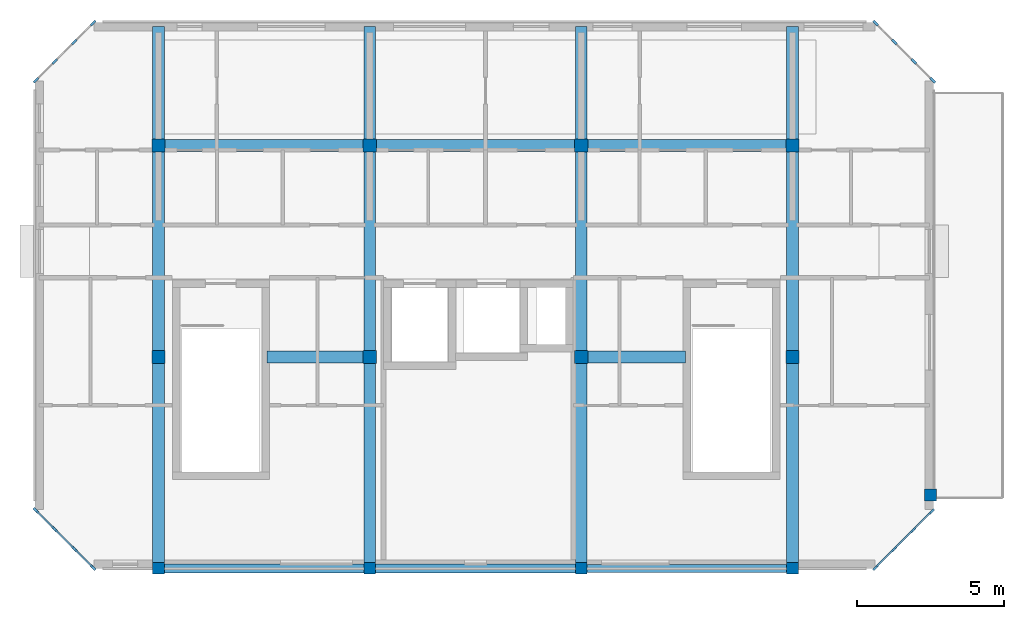
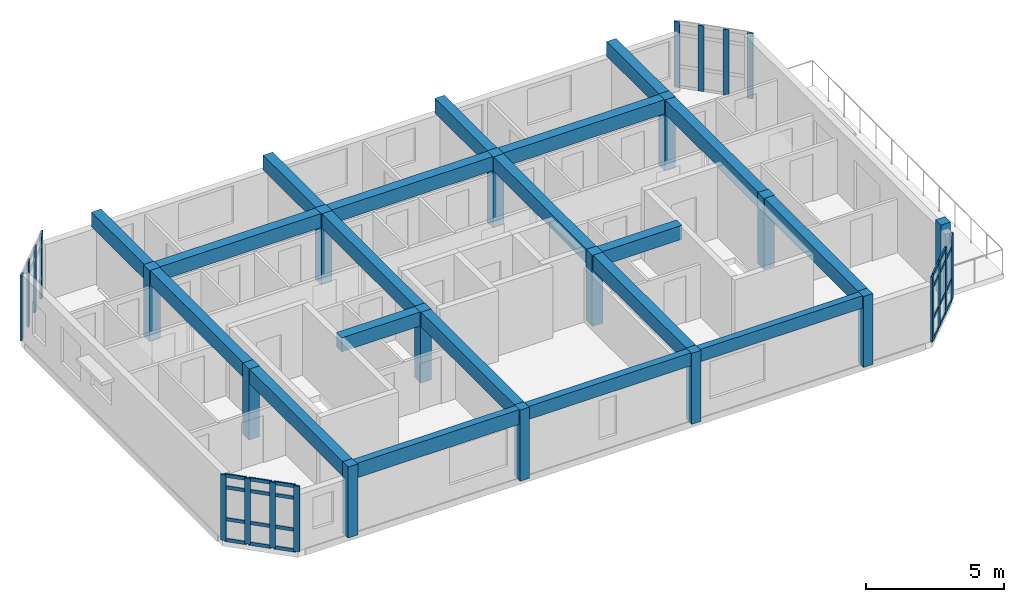
# One storey, part 1 of 6: 39 members, 16 beams, 13 columns, 4 elements without a shape of their own.
"""IFC4 building model written with IfcOpenShell, lengths in metres."""

from ifc_helpers import new_model, si_unit, direction, frame, origin, origin_2d, place, context, subcontext, project, spatial, rectangle, extrude, material, layer, layer_set, material_profile, profile_set, type_object, element, aggregate, save


model = new_model("IFC4")

# Units and contexts
model_context = context("Model", 3, precision=1e-05, world=origin(), true_north=direction((0.0, 1.0)))
body_context = subcontext(model_context, "Body", "Model", "MODEL_VIEW")
ifc_project = project(units=[si_unit("LENGTHUNIT", "METRE"), si_unit("AREAUNIT", "SQUARE_METRE"), si_unit("VOLUMEUNIT", "CUBIC_METRE"), si_unit("PLANEANGLEUNIT", "RADIAN"), si_unit("MASSUNIT", "GRAM", prefix="KILO")], contexts=[model_context])

# Site, building, storey
site_placement = place(None, origin())
site = spatial("IfcSite", under=ifc_project, at=site_placement, CompositionType="ELEMENT")
building_placement = place(site_placement, origin())
building = spatial("IfcBuilding", under=site, at=building_placement, Name="Ochrevale Crest", CompositionType="ELEMENT")
storey_placement = place(building_placement, frame((0.0, 0.0, 49.64990234375)))
storey = spatial("IfcBuildingStorey", under=building, at=storey_placement, Name="L15", CompositionType="ELEMENT", Elevation=49.64990234375)

# Columns
ifc_material_1 = material(Name="Precast concrete C40/50", Category="concrete")
ifc_material_profile_1 = material_profile(ifc_material_1, rectangle(XDim=0.39990234375, YDim=0.39990234375, at=origin_2d()), Name="RC 400x400")
ifc_profile_set_1 = profile_set([ifc_material_profile_1], Name="Precast concrete C40/50")
column_type_1 = type_object("IfcColumnType", Name="COL-RC400x400", PredefinedType="COLUMN", material=ifc_profile_set_1)
for number, where, z_axis, x_axis, name in (
    (1, (136.800048828125, 72.0, 0.0), (0.0, 0.0, 1.0), (1.0, 0.0, 0.0), "Block D L15 column (136.8,72.0)"),
    (2, (144.0, 72.0, 0.0), (0.0, 0.0, 1.0), (1.0, 0.0, 0.0), "Block D L15 column (144.0,72.0)"),
    (3, (151.199951171875, 72.0, 0.0), (0.0, 0.0, 1.0), (1.0, 0.0, 0.0), "Block D L15 column (151.2,72.0)"),
    (4, (158.39990234375, 72.0, 0.0), (0.0, 0.0, 1.0), (1.0, 0.0, 0.0), "Block D L15 column (158.4,72.0)"),
    (5, (163.10009765625, 74.5, 0.0), (0.0, 0.0, 1.0), (1.0, 0.0, 0.0), "Block D L15 column (163.1,74.5)"),
):
    element("IfcColumn", number, at=place(storey_placement, frame(where, z_axis=z_axis, x_axis=x_axis)), inside=storey, type_object=column_type_1, Name=name, PredefinedType="COLUMN", context=body_context, shape_type="SweptSolid", body=[
        extrude(rectangle(XDim=0.39990234375, YDim=0.39990234375, at=origin_2d()), origin(), (0.0, 0.0, 1.0), 3.150146484375),
    ])
ifc_material_profile_2 = material_profile(ifc_material_1, rectangle(XDim=0.449951171875, YDim=0.449951171875, at=origin_2d()), Name="RC 450x450")
ifc_profile_set_2 = profile_set([ifc_material_profile_2], Name="Precast concrete C40/50")
column_type_2 = type_object("IfcColumnType", Name="COL-RC450x450", PredefinedType="COLUMN", material=ifc_profile_set_2)
for number, where, z_axis, x_axis, name in (
    (6, (136.800048828125, 79.199951171875, 0.0), (0.0, 0.0, 1.0), (1.0, 0.0, 0.0), "Block D L15 column (136.8,79.2)"),
    (7, (136.800048828125, 86.39990234375, 0.0), (0.0, 0.0, 1.0), (1.0, 0.0, 0.0), "Block D L15 column (136.8,86.4)"),
    (8, (144.0, 79.199951171875, 0.0), (0.0, 0.0, 1.0), (1.0, 0.0, 0.0), "Block D L15 column (144.0,79.2)"),
    (9, (144.0, 86.39990234375, 0.0), (0.0, 0.0, 1.0), (1.0, 0.0, 0.0), "Block D L15 column (144.0,86.4)"),
    (10, (151.199951171875, 79.199951171875, 0.0), (0.0, 0.0, 1.0), (1.0, 0.0, 0.0), "Block D L15 column (151.2,79.2)"),
    (11, (151.199951171875, 86.39990234375, 0.0), (0.0, 0.0, 1.0), (1.0, 0.0, 0.0), "Block D L15 column (151.2,86.4)"),
    (12, (158.39990234375, 79.199951171875, 0.0), (0.0, 0.0, 1.0), (1.0, 0.0, 0.0), "Block D L15 column (158.4,79.2)"),
    (13, (158.39990234375, 86.39990234375, 0.0), (0.0, 0.0, 1.0), (1.0, 0.0, 0.0), "Block D L15 column (158.4,86.4)"),
):
    element("IfcColumn", number, at=place(storey_placement, frame(where, z_axis=z_axis, x_axis=x_axis)), inside=storey, type_object=column_type_2, Name=name, PredefinedType="COLUMN", context=body_context, shape_type="SweptSolid", body=[
        extrude(rectangle(XDim=0.449951171875, YDim=0.449951171875, at=origin_2d()), origin(), (0.0, 0.0, 1.0), 3.150146484375),
    ])

# Beams
ifc_material_2 = material(Name="Precast concrete C50/60", Category="concrete")
ifc_material_profile_3 = material_profile(ifc_material_2, rectangle(XDim=0.39990234375, YDim=0.6201171875, at=origin_2d()), Name="PC 400x620")
ifc_profile_set_3 = profile_set([ifc_material_profile_3], Name="Precast concrete C50/60")
beam_type_1 = type_object("IfcBeamType", Name="BM-PC400x620", PredefinedType="BEAM", material=ifc_profile_set_3)
beam_1_placement = place(storey_placement, frame((140.489990234375, 79.199951171875, 2.840087890625), z_axis=(1.0, 0.0, 0.0), x_axis=(0.0, 1.0, 0.0)))
element("IfcBeam", 14, at=beam_1_placement, inside=storey, type_object=beam_type_1, Name="Block D L15 E-W beam Y=79.2", PredefinedType="BEAM", context=body_context, shape_type="SweptSolid", body=[
    extrude(rectangle(XDim=0.39990234375, YDim=0.6201171875, at=origin_2d()), origin(), (0.0, 0.0, 1.0), 3.31005859375),
])
beam_2_placement = place(storey_placement, frame((151.39990234375, 79.199951171875, 2.840087890625), z_axis=(1.0, 0.0, 0.0), x_axis=(0.0, 1.0, 0.0)))
element("IfcBeam", 15, at=beam_2_placement, inside=storey, type_object=beam_type_1, Name="Block D L15 E-W beam Y=79.2", PredefinedType="BEAM", context=body_context, shape_type="SweptSolid", body=[
    extrude(rectangle(XDim=0.39990234375, YDim=0.6201171875, at=origin_2d()), origin(), (0.0, 0.0, 1.0), 3.360107421875),
])
for number, where, z_axis, x_axis, name in (
    (16, (137.0, 86.39990234375, 2.840087890625), (1.0, 0.0, 0.0), (0.0, 1.0, 0.0), "Block D L15 E-W beam Y=86.4"),
    (17, (144.199951171875, 86.39990234375, 2.840087890625), (1.0, 0.0, 0.0), (0.0, 1.0, 0.0), "Block D L15 E-W beam Y=86.4"),
    (18, (151.39990234375, 86.39990234375, 2.840087890625), (1.0, 0.0, 0.0), (0.0, 1.0, 0.0), "Block D L15 E-W beam Y=86.4"),
):
    element("IfcBeam", number, at=place(storey_placement, frame(where, z_axis=z_axis, x_axis=x_axis)), inside=storey, type_object=beam_type_1, Name=name, PredefinedType="BEAM", context=body_context, shape_type="SweptSolid", body=[
        extrude(rectangle(XDim=0.39990234375, YDim=0.6201171875, at=origin_2d()), origin(), (0.0, 0.0, 1.0), 6.800048828125),
    ])
ifc_material_profile_4 = material_profile(ifc_material_2, rectangle(XDim=0.39990234375, YDim=0.64990234375, at=origin_2d()), Name="PC 400x650")
ifc_profile_set_4 = profile_set([ifc_material_profile_4], Name="Precast concrete C50/60")
beam_type_2 = type_object("IfcBeamType", Name="BM-PC400x650", PredefinedType="BEAM", material=ifc_profile_set_4)
beam_3_placement = place(storey_placement, frame((136.800048828125, 72.179931640625, 2.8251953125), z_axis=(0.0, 1.0, 0.0), x_axis=(-1.0, 0.0, 0.0)))
element("IfcBeam", 19, at=beam_3_placement, inside=storey, type_object=beam_type_2, Name="Block D L15 N-S beam X=136.8", PredefinedType="BEAM", context=body_context, shape_type="SweptSolid", body=[
    extrude(rectangle(XDim=0.39990234375, YDim=0.64990234375, at=origin_2d()), origin(), (0.0, 0.0, 1.0), 6.815185546875),
])
beam_4_placement = place(storey_placement, frame((136.800048828125, 79.219970703125, 2.8251953125), z_axis=(0.0, 1.0, 0.0), x_axis=(-1.0, 0.0, 0.0)))
element("IfcBeam", 20, at=beam_4_placement, inside=storey, type_object=beam_type_2, Name="Block D L15 N-S beam X=136.8", PredefinedType="BEAM", context=body_context, shape_type="SweptSolid", body=[
    extrude(rectangle(XDim=0.39990234375, YDim=0.64990234375, at=origin_2d()), origin(), (0.0, 0.0, 1.0), 11.22998046875),
])
beam_5_placement = place(storey_placement, frame((144.0, 72.179931640625, 2.8251953125), z_axis=(0.0, 1.0, 0.0), x_axis=(-1.0, 0.0, 0.0)))
element("IfcBeam", 21, at=beam_5_placement, inside=storey, type_object=beam_type_2, Name="Block D L15 N-S beam X=144.0", PredefinedType="BEAM", context=body_context, shape_type="SweptSolid", body=[
    extrude(rectangle(XDim=0.39990234375, YDim=0.64990234375, at=origin_2d()), origin(), (0.0, 0.0, 1.0), 6.815185546875),
])
beam_6_placement = place(storey_placement, frame((144.0, 79.219970703125, 2.8251953125), z_axis=(0.0, 1.0, 0.0), x_axis=(-1.0, 0.0, 0.0)))
element("IfcBeam", 22, at=beam_6_placement, inside=storey, type_object=beam_type_2, Name="Block D L15 N-S beam X=144.0", PredefinedType="BEAM", context=body_context, shape_type="SweptSolid", body=[
    extrude(rectangle(XDim=0.39990234375, YDim=0.64990234375, at=origin_2d()), origin(), (0.0, 0.0, 1.0), 11.22998046875),
])
beam_7_placement = place(storey_placement, frame((151.199951171875, 72.179931640625, 2.8251953125), z_axis=(0.0, 1.0, 0.0), x_axis=(-1.0, 0.0, 0.0)))
element("IfcBeam", 23, at=beam_7_placement, inside=storey, type_object=beam_type_2, Name="Block D L15 N-S beam X=151.2", PredefinedType="BEAM", context=body_context, shape_type="SweptSolid", body=[
    extrude(rectangle(XDim=0.39990234375, YDim=0.64990234375, at=origin_2d()), origin(), (0.0, 0.0, 1.0), 6.815185546875),
])
beam_8_placement = place(storey_placement, frame((151.199951171875, 79.219970703125, 2.8251953125), z_axis=(0.0, 1.0, 0.0), x_axis=(-1.0, 0.0, 0.0)))
element("IfcBeam", 24, at=beam_8_placement, inside=storey, type_object=beam_type_2, Name="Block D L15 N-S beam X=151.2", PredefinedType="BEAM", context=body_context, shape_type="SweptSolid", body=[
    extrude(rectangle(XDim=0.39990234375, YDim=0.64990234375, at=origin_2d()), origin(), (0.0, 0.0, 1.0), 11.22998046875),
])
beam_9_placement = place(storey_placement, frame((158.39990234375, 72.179931640625, 2.8251953125), z_axis=(0.0, 1.0, 0.0), x_axis=(-1.0, 0.0, 0.0)))
element("IfcBeam", 25, at=beam_9_placement, inside=storey, type_object=beam_type_2, Name="Block D L15 N-S beam X=158.4", PredefinedType="BEAM", context=body_context, shape_type="SweptSolid", body=[
    extrude(rectangle(XDim=0.39990234375, YDim=0.64990234375, at=origin_2d()), origin(), (0.0, 0.0, 1.0), 6.815185546875),
])
beam_10_placement = place(storey_placement, frame((158.39990234375, 79.219970703125, 2.8251953125), z_axis=(0.0, 1.0, 0.0), x_axis=(-1.0, 0.0, 0.0)))
element("IfcBeam", 26, at=beam_10_placement, inside=storey, type_object=beam_type_2, Name="Block D L15 N-S beam X=158.4", PredefinedType="BEAM", context=body_context, shape_type="SweptSolid", body=[
    extrude(rectangle(XDim=0.39990234375, YDim=0.64990234375, at=origin_2d()), origin(), (0.0, 0.0, 1.0), 11.22998046875),
])
ifc_material_profile_5 = material_profile(ifc_material_1, rectangle(XDim=0.280029296875, YDim=0.550048828125, at=origin_2d()), Name="PC 280x550")
ifc_profile_set_5 = profile_set([ifc_material_profile_5], Name="Precast concrete C40/50")
beam_type_3 = type_object("IfcBeamType", Name="BM-SP280x550", PredefinedType="SPANDREL", material=ifc_profile_set_5)
beam_11_placement = place(storey_placement, frame((151.375, 72.0, 2.875), z_axis=(1.0, 0.0, 0.0), x_axis=(0.0, 1.0, 0.0)))
element("IfcBeam", 27, at=beam_11_placement, inside=storey, type_object=beam_type_3, Name="Block D L15 E-W beam Y=72.0", PredefinedType="SPANDREL", context=body_context, shape_type="SweptSolid", body=[
    extrude(rectangle(XDim=0.280029296875, YDim=0.550048828125, at=origin_2d()), origin(), (0.0, 0.0, 1.0), 6.85009765625),
])
ifc_material_profile_6 = material_profile(ifc_material_1, rectangle(XDim=0.300048828125, YDim=0.580078125, at=origin_2d()), Name="PC 300x580")
ifc_profile_set_6 = profile_set([ifc_material_profile_6], Name="Precast concrete C40/50")
beam_type_4 = type_object("IfcBeamType", Name="BM-SP300x580", PredefinedType="SPANDREL", material=ifc_profile_set_6)
beam_12_placement = place(storey_placement, frame((144.175048828125, 72.0, 2.860107421875), z_axis=(1.0, 0.0, 0.0), x_axis=(0.0, 1.0, 0.0)))
element("IfcBeam", 28, at=beam_12_placement, inside=storey, type_object=beam_type_4, Name="Block D L15 E-W beam Y=72.0", PredefinedType="SPANDREL", context=body_context, shape_type="SweptSolid", body=[
    extrude(rectangle(XDim=0.300048828125, YDim=0.580078125, at=origin_2d()), origin(), (0.0, 0.0, 1.0), 6.849853515625),
])
ifc_material_profile_7 = material_profile(ifc_material_1, rectangle(XDim=0.300048828125, YDim=0.64990234375, at=origin_2d()), Name="PC 300x650")
ifc_profile_set_7 = profile_set([ifc_material_profile_7], Name="Precast concrete C40/50")
beam_type_5 = type_object("IfcBeamType", Name="BM-SP300x650", PredefinedType="SPANDREL", material=ifc_profile_set_7)
beam_13_placement = place(storey_placement, frame((136.97509765625, 72.0, 2.8251953125), z_axis=(1.0, 0.0, 0.0), x_axis=(0.0, 1.0, 0.0)))
element("IfcBeam", 29, at=beam_13_placement, inside=storey, type_object=beam_type_5, Name="Block D L15 E-W beam Y=72.0", PredefinedType="SPANDREL", context=body_context, shape_type="SweptSolid", body=[
    extrude(rectangle(XDim=0.300048828125, YDim=0.64990234375, at=origin_2d()), origin(), (0.0, 0.0, 1.0), 6.849853515625),
])

# Curtain wall, members
ifc_material_3 = material(Name="Anodised aluminium 6063-T5", Category="aluminium")
ifc_layer_1 = layer(ifc_material_3, 0.14990234375)
ifc_layer_set_1 = layer_set([ifc_layer_1], Name="Anodised aluminium 6063-T5")
curtain_wall_type_1 = type_object("IfcCurtainWallType", Name="CW-WG-320x285", PredefinedType="NOTDEFINED", material=ifc_layer_set_1)
curtain_wall_1_placement = place(storey_placement, origin())
curtain_wall_1 = element("IfcCurtainWall", 30, at=curtain_wall_1_placement, inside=storey, type_object=curtain_wall_type_1, Name="Block D L15 chamfered corner wintergarden curtain wall 2", PredefinedType="NOTDEFINED")
ifc_material_profile_8 = material_profile(ifc_material_3, rectangle(XDim=0.074951171875, YDim=0.219970703125, at=origin_2d()), Name="ALU 75x220")
ifc_profile_set_8 = profile_set([ifc_material_profile_8], Name="Anodised aluminium 6063-T5")
member_type_1 = type_object("IfcMemberType", Name="CW-MUL-75x220", PredefinedType="MULLION", material=ifc_profile_set_8)
member_1_placement = place(storey_placement, frame((161.2265625, 72.026611328125, 0.0), z_axis=(0.0, 0.0, 1.0), x_axis=(-0.707106781187, 0.707106781187, 0.0)))
member_1 = element("IfcMember", 31, at=member_1_placement, type_object=member_type_1, Name="CW17 mullion 1", PredefinedType="MULLION", context=body_context, shape_type="SweptSolid", body=[
    extrude(rectangle(XDim=0.074951171875, YDim=0.219970703125, at=origin_2d()), origin(), (0.0, 0.0, 1.0), 2.91015625),
])
member_2_placement = place(storey_placement, frame((161.853271484375, 72.6533203125, 0.0), z_axis=(0.0, 0.0, 1.0), x_axis=(-0.707106781187, 0.707106781187, 0.0)))
member_2 = element("IfcMember", 32, at=member_2_placement, type_object=member_type_1, Name="CW17 mullion 2", PredefinedType="MULLION", context=body_context, shape_type="SweptSolid", body=[
    extrude(rectangle(XDim=0.074951171875, YDim=0.219970703125, at=origin_2d()), origin(), (0.0, 0.0, 1.0), 2.91015625),
])
member_3_placement = place(storey_placement, frame((162.506591796875, 73.306640625, 0.0), z_axis=(0.0, 0.0, 1.0), x_axis=(-0.707106781187, 0.707106781187, 0.0)))
member_3 = element("IfcMember", 33, at=member_3_placement, type_object=member_type_1, Name="CW17 mullion 3", PredefinedType="MULLION", context=body_context, shape_type="SweptSolid", body=[
    extrude(rectangle(XDim=0.074951171875, YDim=0.219970703125, at=origin_2d()), origin(), (0.0, 0.0, 1.0), 2.91015625),
])
member_4_placement = place(storey_placement, frame((163.133544921875, 73.93359375, 0.0), z_axis=(0.0, 0.0, 1.0), x_axis=(-0.707106781187, 0.707106781187, 0.0)))
member_4 = element("IfcMember", 34, at=member_4_placement, type_object=member_type_1, Name="CW17 mullion 4", PredefinedType="MULLION", context=body_context, shape_type="SweptSolid", body=[
    extrude(rectangle(XDim=0.074951171875, YDim=0.219970703125, at=origin_2d()), origin(), (0.0, 0.0, 1.0), 2.91015625),
])

ifc_layer_2 = layer(ifc_material_3, 0.14990234375)
ifc_layer_set_2 = layer_set([ifc_layer_2], Name="Anodised aluminium 6063-T5")
curtain_wall_type_2 = type_object("IfcCurtainWallType", Name="CW-WG-420x285", PredefinedType="NOTDEFINED", material=ifc_layer_set_2)
curtain_wall_2_placement = place(storey_placement, origin())
curtain_wall_2 = element("IfcCurtainWall", 35, at=curtain_wall_2_placement, inside=storey, type_object=curtain_wall_type_2, Name="Block D L15 chamfered corner wintergarden curtain wall 4", PredefinedType="NOTDEFINED")
member_5_placement = place(storey_placement, frame((163.173583984375, 88.62646484375, 0.0), z_axis=(0.0, 0.0, 1.0), x_axis=(-0.707106781187, -0.707106781187, 0.0)))
member_5 = element("IfcMember", 36, at=member_5_placement, type_object=member_type_1, Name="CW22 mullion 1", PredefinedType="MULLION", context=body_context, shape_type="SweptSolid", body=[
    extrude(rectangle(XDim=0.074951171875, YDim=0.219970703125, at=origin_2d()), origin(), (0.0, 0.0, 1.0), 2.91015625),
])
member_6_placement = place(storey_placement, frame((162.533447265625, 89.2666015625, 0.0), z_axis=(0.0, 0.0, 1.0), x_axis=(-0.707106781187, -0.707106781187, 0.0)))
member_6 = element("IfcMember", 37, at=member_6_placement, type_object=member_type_1, Name="CW22 mullion 2", PredefinedType="MULLION", context=body_context, shape_type="SweptSolid", body=[
    extrude(rectangle(XDim=0.074951171875, YDim=0.219970703125, at=origin_2d()), origin(), (0.0, 0.0, 1.0), 2.91015625),
])
member_7_placement = place(storey_placement, frame((161.86669921875, 89.933349609375, 0.0), z_axis=(0.0, 0.0, 1.0), x_axis=(-0.707106781187, -0.707106781187, 0.0)))
member_7 = element("IfcMember", 38, at=member_7_placement, type_object=member_type_1, Name="CW22 mullion 3", PredefinedType="MULLION", context=body_context, shape_type="SweptSolid", body=[
    extrude(rectangle(XDim=0.074951171875, YDim=0.219970703125, at=origin_2d()), origin(), (0.0, 0.0, 1.0), 2.91015625),
])
member_8_placement = place(storey_placement, frame((161.2265625, 90.573486328125, 0.0), z_axis=(0.0, 0.0, 1.0), x_axis=(-0.707106781187, -0.707106781187, 0.0)))
member_8 = element("IfcMember", 39, at=member_8_placement, type_object=member_type_1, Name="CW22 mullion 4", PredefinedType="MULLION", context=body_context, shape_type="SweptSolid", body=[
    extrude(rectangle(XDim=0.074951171875, YDim=0.219970703125, at=origin_2d()), origin(), (0.0, 0.0, 1.0), 2.91015625),
])
aggregate(curtain_wall_2, [member_5, member_6, member_7, member_8])

ifc_layer_3 = layer(ifc_material_3, 0.14990234375)
ifc_layer_set_3 = layer_set([ifc_layer_3], Name="Anodised aluminium 6063-T5")
curtain_wall_type_3 = type_object("IfcCurtainWallType", Name="CW-WG-280x285", PredefinedType="NOTDEFINED", material=ifc_layer_set_3)
curtain_wall_3_placement = place(storey_placement, origin())
curtain_wall_3 = element("IfcCurtainWall", 40, at=curtain_wall_3_placement, inside=storey, type_object=curtain_wall_type_3, Name="Block D L15 chamfered corner wintergarden curtain wall 6", PredefinedType="NOTDEFINED")
member_9_placement = place(storey_placement, frame((134.573486328125, 90.573486328125, 0.0), z_axis=(0.0, 0.0, 1.0), x_axis=(0.707106781187, -0.707106781187, 0.0)))
member_9 = element("IfcMember", 41, at=member_9_placement, type_object=member_type_1, Name="CW16 mullion 1", PredefinedType="MULLION", context=body_context, shape_type="SweptSolid", body=[
    extrude(rectangle(XDim=0.074951171875, YDim=0.219970703125, at=origin_2d()), origin(), (0.0, 0.0, 1.0), 2.91015625),
])
member_10_placement = place(storey_placement, frame((133.933349609375, 89.933349609375, 0.0), z_axis=(0.0, 0.0, 1.0), x_axis=(0.707106781187, -0.707106781187, 0.0)))
member_10 = element("IfcMember", 42, at=member_10_placement, type_object=member_type_1, Name="CW16 mullion 2", PredefinedType="MULLION", context=body_context, shape_type="SweptSolid", body=[
    extrude(rectangle(XDim=0.074951171875, YDim=0.219970703125, at=origin_2d()), origin(), (0.0, 0.0, 1.0), 2.91015625),
])
member_11_placement = place(storey_placement, frame((133.2666015625, 89.2666015625, 0.0), z_axis=(0.0, 0.0, 1.0), x_axis=(0.707106781187, -0.707106781187, 0.0)))
member_11 = element("IfcMember", 43, at=member_11_placement, type_object=member_type_1, Name="CW16 mullion 3", PredefinedType="MULLION", context=body_context, shape_type="SweptSolid", body=[
    extrude(rectangle(XDim=0.074951171875, YDim=0.219970703125, at=origin_2d()), origin(), (0.0, 0.0, 1.0), 2.91015625),
])
member_12_placement = place(storey_placement, frame((132.62646484375, 88.62646484375, 0.0), z_axis=(0.0, 0.0, 1.0), x_axis=(0.707106781187, -0.707106781187, 0.0)))
member_12 = element("IfcMember", 44, at=member_12_placement, type_object=member_type_1, Name="CW16 mullion 4", PredefinedType="MULLION", context=body_context, shape_type="SweptSolid", body=[
    extrude(rectangle(XDim=0.074951171875, YDim=0.219970703125, at=origin_2d()), origin(), (0.0, 0.0, 1.0), 2.91015625),
])
aggregate(curtain_wall_3, [member_9, member_10, member_11, member_12])

ifc_layer_4 = layer(ifc_material_3, 0.14990234375)
ifc_layer_set_4 = layer_set([ifc_layer_4], Name="Anodised aluminium 6063-T5")
curtain_wall_type_4 = type_object("IfcCurtainWallType", Name="CW-WG-360x285", PredefinedType="NOTDEFINED", material=ifc_layer_set_4)
curtain_wall_4_placement = place(storey_placement, origin())
curtain_wall_4 = element("IfcCurtainWall", 45, at=curtain_wall_4_placement, inside=storey, type_object=curtain_wall_type_4, Name="Block D L15 chamfered corner wintergarden curtain wall 8", PredefinedType="NOTDEFINED")
member_13_placement = place(storey_placement, frame((132.62646484375, 73.973388671875, 0.0), z_axis=(0.0, 0.0, 1.0), x_axis=(0.707106781187, 0.707106781187, 0.0)))
member_13 = element("IfcMember", 46, at=member_13_placement, type_object=member_type_1, Name="CW18 mullion 1", PredefinedType="MULLION", context=body_context, shape_type="SweptSolid", body=[
    extrude(rectangle(XDim=0.074951171875, YDim=0.219970703125, at=origin_2d()), origin(), (0.0, 0.0, 1.0), 2.91015625),
])
member_14_placement = place(storey_placement, frame((133.2666015625, 73.333251953125, 0.0), z_axis=(0.0, 0.0, 1.0), x_axis=(0.707106781187, 0.707106781187, 0.0)))
member_14 = element("IfcMember", 47, at=member_14_placement, type_object=member_type_1, Name="CW18 mullion 2", PredefinedType="MULLION", context=body_context, shape_type="SweptSolid", body=[
    extrude(rectangle(XDim=0.074951171875, YDim=0.219970703125, at=origin_2d()), origin(), (0.0, 0.0, 1.0), 2.91015625),
])
member_15_placement = place(storey_placement, frame((133.933349609375, 72.666748046875, 0.0), z_axis=(0.0, 0.0, 1.0), x_axis=(0.707106781187, 0.707106781187, 0.0)))
member_15 = element("IfcMember", 48, at=member_15_placement, type_object=member_type_1, Name="CW18 mullion 3", PredefinedType="MULLION", context=body_context, shape_type="SweptSolid", body=[
    extrude(rectangle(XDim=0.074951171875, YDim=0.219970703125, at=origin_2d()), origin(), (0.0, 0.0, 1.0), 2.91015625),
])
member_16_placement = place(storey_placement, frame((134.573486328125, 72.026611328125, 0.0), z_axis=(0.0, 0.0, 1.0), x_axis=(0.707106781187, 0.707106781187, 0.0)))
member_16 = element("IfcMember", 49, at=member_16_placement, type_object=member_type_1, Name="CW18 mullion 4", PredefinedType="MULLION", context=body_context, shape_type="SweptSolid", body=[
    extrude(rectangle(XDim=0.074951171875, YDim=0.219970703125, at=origin_2d()), origin(), (0.0, 0.0, 1.0), 2.91015625),
])

# Member
ifc_material_profile_9 = material_profile(ifc_material_3, rectangle(XDim=0.06005859375, YDim=0.14990234375, at=origin_2d()), Name="ALU 60x150")
ifc_profile_set_9 = profile_set([ifc_material_profile_9], Name="Anodised aluminium 6063-T5")
member_type_2 = type_object("IfcMemberType", Name="CW-TRN-60x150", PredefinedType="USERDEFINED", material=ifc_profile_set_9)
member_17_placement = place(storey_placement, frame((161.2529296875, 72.052978515625, 0.030029296875), z_axis=(0.707257181433, 0.706956348944, 0.0), x_axis=(-0.706956348944, 0.707257181433, 0.0)))
member_17 = element("IfcMember", 50, at=member_17_placement, type_object=member_type_2, Name="CW17 transom 1.1", ObjectType="TRANSOM", PredefinedType="USERDEFINED", context=body_context, shape_type="SweptSolid", body=[
    extrude(rectangle(XDim=0.06005859375, YDim=0.14990234375, at=origin_2d()), origin(), (0.0, 0.0, 1.0), 0.8115234375),
])

member_18_placement = place(storey_placement, frame((161.2529296875, 72.052978515625, 0.9501953125), z_axis=(0.707257181433, 0.706956348944, 0.0), x_axis=(-0.706956348944, 0.707257181433, 0.0)))
member_18 = element("IfcMember", 51, at=member_18_placement, type_object=member_type_2, Name="CW17 transom 1.2", ObjectType="TRANSOM", PredefinedType="USERDEFINED", context=body_context, shape_type="SweptSolid", body=[
    extrude(rectangle(XDim=0.06005859375, YDim=0.14990234375, at=origin_2d()), origin(), (0.0, 0.0, 1.0), 0.8115234375),
])

member_19_placement = place(storey_placement, frame((161.2529296875, 72.052978515625, 2.360107421875), z_axis=(0.707257181433, 0.706956348944, 0.0), x_axis=(-0.706956348944, 0.707257181433, 0.0)))
member_19 = element("IfcMember", 52, at=member_19_placement, type_object=member_type_2, Name="CW17 transom 1.3", ObjectType="TRANSOM", PredefinedType="USERDEFINED", context=body_context, shape_type="SweptSolid", body=[
    extrude(rectangle(XDim=0.06005859375, YDim=0.14990234375, at=origin_2d()), origin(), (0.0, 0.0, 1.0), 0.8115234375),
])

member_20_placement = place(storey_placement, frame((161.2529296875, 72.052978515625, 2.880126953125), z_axis=(0.707257181433, 0.706956348944, 0.0), x_axis=(-0.706956348944, 0.707257181433, 0.0)))
member_20 = element("IfcMember", 53, at=member_20_placement, type_object=member_type_2, Name="CW17 transom 1.4", ObjectType="TRANSOM", PredefinedType="USERDEFINED", context=body_context, shape_type="SweptSolid", body=[
    extrude(rectangle(XDim=0.06005859375, YDim=0.14990234375, at=origin_2d()), origin(), (0.0, 0.0, 1.0), 0.8115234375),
])

member_21_placement = place(storey_placement, frame((161.8798828125, 72.679931640625, 0.030029296875), z_axis=(0.707250575139, 0.706962957987, 0.0), x_axis=(-0.706962957987, 0.707250575139, 0.0)))
member_21 = element("IfcMember", 54, at=member_21_placement, type_object=member_type_2, Name="CW17 transom 2.1", ObjectType="TRANSOM", PredefinedType="USERDEFINED", context=body_context, shape_type="SweptSolid", body=[
    extrude(rectangle(XDim=0.06005859375, YDim=0.14990234375, at=origin_2d()), origin(), (0.0, 0.0, 1.0), 0.848876953125),
])

member_22_placement = place(storey_placement, frame((161.8798828125, 72.679931640625, 0.9501953125), z_axis=(0.707250575139, 0.706962957987, 0.0), x_axis=(-0.706962957987, 0.707250575139, 0.0)))
member_22 = element("IfcMember", 55, at=member_22_placement, type_object=member_type_2, Name="CW17 transom 2.2", ObjectType="TRANSOM", PredefinedType="USERDEFINED", context=body_context, shape_type="SweptSolid", body=[
    extrude(rectangle(XDim=0.06005859375, YDim=0.14990234375, at=origin_2d()), origin(), (0.0, 0.0, 1.0), 0.848876953125),
])

member_23_placement = place(storey_placement, frame((161.8798828125, 72.679931640625, 2.360107421875), z_axis=(0.707250575139, 0.706962957987, 0.0), x_axis=(-0.706962957987, 0.707250575139, 0.0)))
member_23 = element("IfcMember", 56, at=member_23_placement, type_object=member_type_2, Name="CW17 transom 2.3", ObjectType="TRANSOM", PredefinedType="USERDEFINED", context=body_context, shape_type="SweptSolid", body=[
    extrude(rectangle(XDim=0.06005859375, YDim=0.14990234375, at=origin_2d()), origin(), (0.0, 0.0, 1.0), 0.848876953125),
])

member_24_placement = place(storey_placement, frame((161.8798828125, 72.679931640625, 2.880126953125), z_axis=(0.707250575139, 0.706962957987, 0.0), x_axis=(-0.706962957987, 0.707250575139, 0.0)))
member_24 = element("IfcMember", 57, at=member_24_placement, type_object=member_type_2, Name="CW17 transom 2.4", ObjectType="TRANSOM", PredefinedType="USERDEFINED", context=body_context, shape_type="SweptSolid", body=[
    extrude(rectangle(XDim=0.06005859375, YDim=0.14990234375, at=origin_2d()), origin(), (0.0, 0.0, 1.0), 0.848876953125),
])

member_25_placement = place(storey_placement, frame((162.533203125, 73.333251953125, 0.030029296875), z_axis=(0.707106781187, 0.707106781187, 0.0), x_axis=(-0.707106781187, 0.707106781187, 0.0)))
member_25 = element("IfcMember", 58, at=member_25_placement, type_object=member_type_2, Name="CW17 transom 3.1", ObjectType="TRANSOM", PredefinedType="USERDEFINED", context=body_context, shape_type="SweptSolid", body=[
    extrude(rectangle(XDim=0.06005859375, YDim=0.14990234375, at=origin_2d()), origin(), (0.0, 0.0, 1.0), 0.811279296875),
])

member_26_placement = place(storey_placement, frame((162.533203125, 73.333251953125, 0.9501953125), z_axis=(0.707106781187, 0.707106781187, 0.0), x_axis=(-0.707106781187, 0.707106781187, 0.0)))
member_26 = element("IfcMember", 59, at=member_26_placement, type_object=member_type_2, Name="CW17 transom 3.2", ObjectType="TRANSOM", PredefinedType="USERDEFINED", context=body_context, shape_type="SweptSolid", body=[
    extrude(rectangle(XDim=0.06005859375, YDim=0.14990234375, at=origin_2d()), origin(), (0.0, 0.0, 1.0), 0.811279296875),
])

member_27_placement = place(storey_placement, frame((162.533203125, 73.333251953125, 2.360107421875), z_axis=(0.707106781187, 0.707106781187, 0.0), x_axis=(-0.707106781187, 0.707106781187, 0.0)))
member_27 = element("IfcMember", 60, at=member_27_placement, type_object=member_type_2, Name="CW17 transom 3.3", ObjectType="TRANSOM", PredefinedType="USERDEFINED", context=body_context, shape_type="SweptSolid", body=[
    extrude(rectangle(XDim=0.06005859375, YDim=0.14990234375, at=origin_2d()), origin(), (0.0, 0.0, 1.0), 0.811279296875),
])

aggregate(curtain_wall_1, [member_1, member_2, member_3, member_4, member_17, member_18, member_19, member_20, member_21, member_22, member_23, member_24, member_25, member_26, member_27])

member_28_placement = place(storey_placement, frame((132.653076171875, 73.947021484375, 0.030029296875), z_axis=(0.707106781187, -0.707106781187, 0.0), x_axis=(0.707106781187, 0.707106781187, 0.0)))
member_28 = element("IfcMember", 61, at=member_28_placement, type_object=member_type_2, Name="CW18 transom 1.1", ObjectType="TRANSOM", PredefinedType="USERDEFINED", context=body_context, shape_type="SweptSolid", body=[
    extrude(rectangle(XDim=0.06005859375, YDim=0.14990234375, at=origin_2d()), origin(), (0.0, 0.0, 1.0), 0.830322265625),
])

member_29_placement = place(storey_placement, frame((132.653076171875, 73.947021484375, 0.9501953125), z_axis=(0.707106781187, -0.707106781187, 0.0), x_axis=(0.707106781187, 0.707106781187, 0.0)))
member_29 = element("IfcMember", 62, at=member_29_placement, type_object=member_type_2, Name="CW18 transom 1.2", ObjectType="TRANSOM", PredefinedType="USERDEFINED", context=body_context, shape_type="SweptSolid", body=[
    extrude(rectangle(XDim=0.06005859375, YDim=0.14990234375, at=origin_2d()), origin(), (0.0, 0.0, 1.0), 0.830322265625),
])

member_30_placement = place(storey_placement, frame((132.653076171875, 73.947021484375, 2.360107421875), z_axis=(0.707106781187, -0.707106781187, 0.0), x_axis=(0.707106781187, 0.707106781187, 0.0)))
member_30 = element("IfcMember", 63, at=member_30_placement, type_object=member_type_2, Name="CW18 transom 1.3", ObjectType="TRANSOM", PredefinedType="USERDEFINED", context=body_context, shape_type="SweptSolid", body=[
    extrude(rectangle(XDim=0.06005859375, YDim=0.14990234375, at=origin_2d()), origin(), (0.0, 0.0, 1.0), 0.830322265625),
])

member_31_placement = place(storey_placement, frame((132.653076171875, 73.947021484375, 2.880126953125), z_axis=(0.707106781187, -0.707106781187, 0.0), x_axis=(0.707106781187, 0.707106781187, 0.0)))
member_31 = element("IfcMember", 64, at=member_31_placement, type_object=member_type_2, Name="CW18 transom 1.4", ObjectType="TRANSOM", PredefinedType="USERDEFINED", context=body_context, shape_type="SweptSolid", body=[
    extrude(rectangle(XDim=0.06005859375, YDim=0.14990234375, at=origin_2d()), origin(), (0.0, 0.0, 1.0), 0.830322265625),
])

member_32_placement = place(storey_placement, frame((133.293212890625, 73.306884765625, 0.030029296875), z_axis=(0.706966105416, -0.707247428976, 0.0), x_axis=(0.707247428976, 0.706966105416, 0.0)))
member_32 = element("IfcMember", 65, at=member_32_placement, type_object=member_type_2, Name="CW18 transom 2.1", ObjectType="TRANSOM", PredefinedType="USERDEFINED", context=body_context, shape_type="SweptSolid", body=[
    extrude(rectangle(XDim=0.06005859375, YDim=0.14990234375, at=origin_2d()), origin(), (0.0, 0.0, 1.0), 0.867919921875),
])

member_33_placement = place(storey_placement, frame((133.293212890625, 73.306884765625, 0.9501953125), z_axis=(0.706966105416, -0.707247428976, 0.0), x_axis=(0.707247428976, 0.706966105416, 0.0)))
member_33 = element("IfcMember", 66, at=member_33_placement, type_object=member_type_2, Name="CW18 transom 2.2", ObjectType="TRANSOM", PredefinedType="USERDEFINED", context=body_context, shape_type="SweptSolid", body=[
    extrude(rectangle(XDim=0.06005859375, YDim=0.14990234375, at=origin_2d()), origin(), (0.0, 0.0, 1.0), 0.867919921875),
])

member_34_placement = place(storey_placement, frame((133.293212890625, 73.306884765625, 2.360107421875), z_axis=(0.706966105416, -0.707247428976, 0.0), x_axis=(0.707247428976, 0.706966105416, 0.0)))
member_34 = element("IfcMember", 67, at=member_34_placement, type_object=member_type_2, Name="CW18 transom 2.3", ObjectType="TRANSOM", PredefinedType="USERDEFINED", context=body_context, shape_type="SweptSolid", body=[
    extrude(rectangle(XDim=0.06005859375, YDim=0.14990234375, at=origin_2d()), origin(), (0.0, 0.0, 1.0), 0.867919921875),
])

member_35_placement = place(storey_placement, frame((133.293212890625, 73.306884765625, 2.880126953125), z_axis=(0.706966105416, -0.707247428976, 0.0), x_axis=(0.707247428976, 0.706966105416, 0.0)))
member_35 = element("IfcMember", 68, at=member_35_placement, type_object=member_type_2, Name="CW18 transom 2.4", ObjectType="TRANSOM", PredefinedType="USERDEFINED", context=body_context, shape_type="SweptSolid", body=[
    extrude(rectangle(XDim=0.06005859375, YDim=0.14990234375, at=origin_2d()), origin(), (0.0, 0.0, 1.0), 0.867919921875),
])

member_36_placement = place(storey_placement, frame((133.9599609375, 72.64013671875, 0.030029296875), z_axis=(0.706959727686, -0.707253804112, 0.0), x_axis=(0.707253804112, 0.706959727686, 0.0)))
member_36 = element("IfcMember", 69, at=member_36_placement, type_object=member_type_2, Name="CW18 transom 3.1", ObjectType="TRANSOM", PredefinedType="USERDEFINED", context=body_context, shape_type="SweptSolid", body=[
    extrude(rectangle(XDim=0.06005859375, YDim=0.14990234375, at=origin_2d()), origin(), (0.0, 0.0, 1.0), 0.830078125),
])

member_37_placement = place(storey_placement, frame((133.9599609375, 72.64013671875, 0.9501953125), z_axis=(0.706959727686, -0.707253804112, 0.0), x_axis=(0.707253804112, 0.706959727686, 0.0)))
member_37 = element("IfcMember", 70, at=member_37_placement, type_object=member_type_2, Name="CW18 transom 3.2", ObjectType="TRANSOM", PredefinedType="USERDEFINED", context=body_context, shape_type="SweptSolid", body=[
    extrude(rectangle(XDim=0.06005859375, YDim=0.14990234375, at=origin_2d()), origin(), (0.0, 0.0, 1.0), 0.830078125),
])

member_38_placement = place(storey_placement, frame((133.9599609375, 72.64013671875, 2.360107421875), z_axis=(0.706959727686, -0.707253804112, 0.0), x_axis=(0.707253804112, 0.706959727686, 0.0)))
member_38 = element("IfcMember", 71, at=member_38_placement, type_object=member_type_2, Name="CW18 transom 3.3", ObjectType="TRANSOM", PredefinedType="USERDEFINED", context=body_context, shape_type="SweptSolid", body=[
    extrude(rectangle(XDim=0.06005859375, YDim=0.14990234375, at=origin_2d()), origin(), (0.0, 0.0, 1.0), 0.830078125),
])

member_39_placement = place(storey_placement, frame((133.9599609375, 72.64013671875, 2.880126953125), z_axis=(0.706959727686, -0.707253804112, 0.0), x_axis=(0.707253804112, 0.706959727686, 0.0)))
member_39 = element("IfcMember", 72, at=member_39_placement, type_object=member_type_2, Name="CW18 transom 3.4", ObjectType="TRANSOM", PredefinedType="USERDEFINED", context=body_context, shape_type="SweptSolid", body=[
    extrude(rectangle(XDim=0.06005859375, YDim=0.14990234375, at=origin_2d()), origin(), (0.0, 0.0, 1.0), 0.830078125),
])

aggregate(curtain_wall_4, [member_13, member_14, member_15, member_16, member_28, member_29, member_30, member_31, member_32, member_33, member_34, member_35, member_36, member_37, member_38, member_39])

save(model, "model.ifc")
